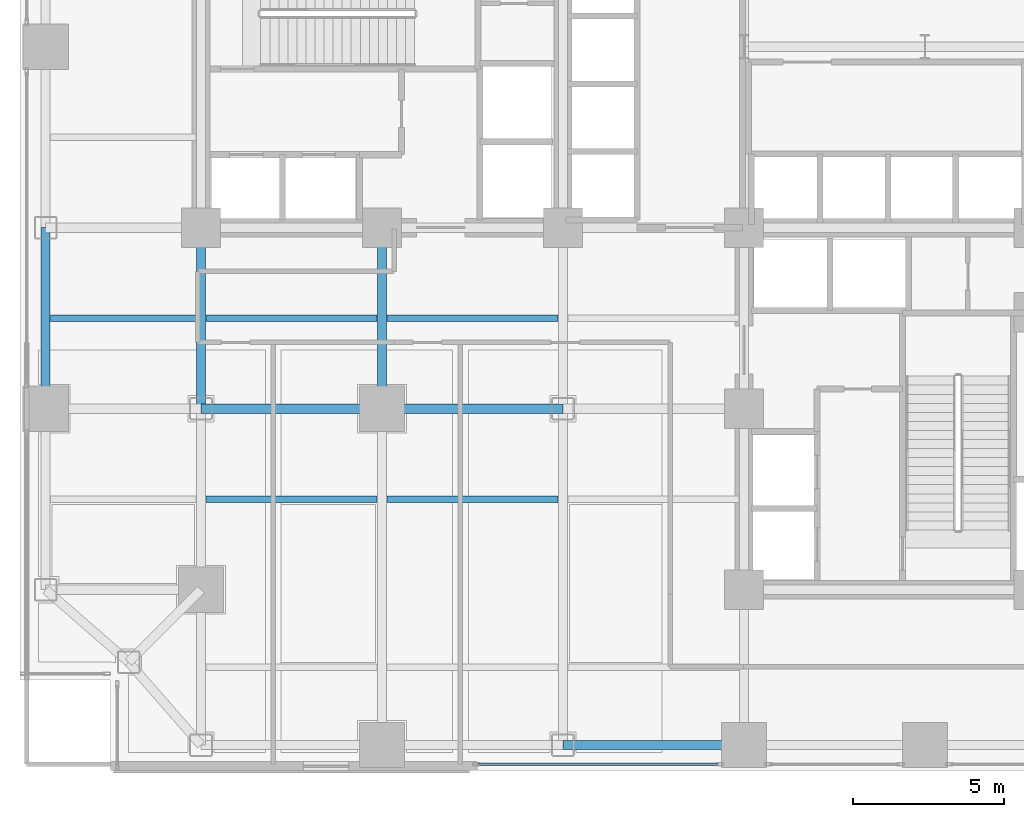
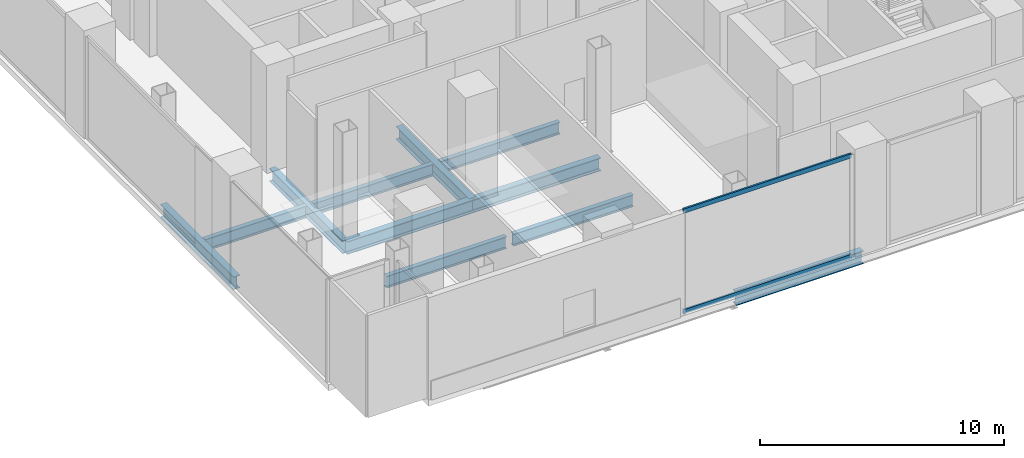
# One storey, part 4 of 27: 11 beams, 2 members, 1 element without a shape of its own.
"""IFC4 building model written with IfcOpenShell, lengths in metres."""

from ifc_helpers import new_model, si_unit, direction, frame, origin, origin_2d, place, context, subcontext, project, spatial, hollow_rectangle, i_section, extrude, material, layer, layer_set, material_profile, profile_set, type_object, element, aggregate, save


model = new_model("IFC4")

# Units and contexts
model_context = context("Model", 3, precision=1e-05, world=origin(), true_north=direction((0.0, 1.0)))
body_context = subcontext(model_context, "Body", "Model", "MODEL_VIEW")
ifc_project = project(units=[si_unit("LENGTHUNIT", "METRE"), si_unit("AREAUNIT", "SQUARE_METRE"), si_unit("VOLUMEUNIT", "CUBIC_METRE"), si_unit("PLANEANGLEUNIT", "RADIAN"), si_unit("MASSUNIT", "GRAM", prefix="KILO"), si_unit("THERMODYNAMICTEMPERATUREUNIT", "KELVIN"), si_unit("POWERUNIT", "WATT")], contexts=[model_context])

# Site, building, storey
site_placement = place(None, origin())
site = spatial("IfcSite", under=ifc_project, at=site_placement, CompositionType="ELEMENT")
building_placement = place(site_placement, origin())
building = spatial("IfcBuilding", under=site, at=building_placement, Name="Svarakhadi Broadcast Tower", CompositionType="ELEMENT")
storey_placement = place(building_placement, frame((0.0, 0.0, 16.5)))
storey = spatial("IfcBuildingStorey", under=building, at=storey_placement, Name="L03", CompositionType="ELEMENT", Elevation=16.5)

# Beams
ifc_material_1 = material(Name="Steel S355J2 (IS 2062 E350C)", Category="steel")
ifc_material_profile_1 = material_profile(ifc_material_1, i_section(OverallWidth=0.219970703125, OverallDepth=0.60009765625, WebThickness=0.011962890625, FlangeThickness=0.01904296875, FilletRadius=0.02392578125, at=origin_2d()), Name="NPB 600x220x122")
ifc_profile_set_1 = profile_set([ifc_material_profile_1], Name="Steel S355J2 (IS 2062 E350C)")
beam_type_1 = type_object("IfcBeamType", Name="Beam_NPB600", PredefinedType="BEAM", material=ifc_profile_set_1)
beam_placement = place(storey_placement, frame((1.010009765625, 15.0, -0.60009765625), z_axis=(1.0, 0.0, 0.0), x_axis=(0.0, 1.0, 0.0)))
element("IfcBeam", 1, at=beam_placement, inside=storey, type_object=beam_type_1, Name="L03 Secondary Composite Beam SB002", PredefinedType="BEAM", context=body_context, shape_type="SweptSolid", body=[
    extrude(i_section(OverallWidth=0.219970703125, OverallDepth=0.60009765625, WebThickness=0.011962890625, FlangeThickness=0.01904296875, FilletRadius=0.02392578125, at=origin_2d()), origin(), (0.0, 0.0, 1.0), 4.830078125),
])
for number, where, z_axis, x_axis, name in (
    (2, (6.159912109375, 9.0, -0.60009765625), (1.0, 0.0, 0.0), (0.0, 1.0, 0.0), "L03 Secondary Composite Beam SB008"),
    (3, (6.159912109375, 15.0, -0.60009765625), (1.0, 0.0, 0.0), (0.0, 1.0, 0.0), "L03 Secondary Composite Beam SB009"),
    (4, (12.159912109375, 9.0, -0.60009765625), (1.0, 0.0, 0.0), (0.0, 1.0, 0.0), "L03 Secondary Composite Beam SB011"),
    (5, (12.159912109375, 15.0, -0.60009765625), (1.0, 0.0, 0.0), (0.0, 1.0, 0.0), "L03 Secondary Composite Beam SB012"),
):
    element("IfcBeam", number, at=place(storey_placement, frame(where, z_axis=z_axis, x_axis=x_axis)), inside=storey, type_object=beam_type_1, Name=name, PredefinedType="BEAM", context=body_context, shape_type="SweptSolid", body=[
        extrude(i_section(OverallWidth=0.219970703125, OverallDepth=0.60009765625, WebThickness=0.011962890625, FlangeThickness=0.01904296875, FilletRadius=0.02392578125, at=origin_2d()), origin(), (0.0, 0.0, 1.0), 5.68017578125),
    ])

# Curtain wall, members
ifc_material_2 = material(Name="Anodised Bronze Aluminium AA 6063-T6", Category="aluminium")
ifc_layer = layer(ifc_material_2, 0.25)
ifc_layer_set = layer_set([ifc_layer], Name="Anodised Bronze Aluminium AA 6063-T6")
curtain_wall_type = type_object("IfcCurtainWallType", Name="CW_Sys_01", PredefinedType="NOTDEFINED", material=ifc_layer_set)
curtain_wall_placement = place(storey_placement, origin())
curtain_wall = element("IfcCurtainWall", 6, at=curtain_wall_placement, inside=storey, type_object=curtain_wall_type, Name="L03 South Curtain Wall 11 Bay 5", PredefinedType="NOTDEFINED")
ifc_material_profile_2 = material_profile(ifc_material_2, hollow_rectangle(XDim=0.0849609375, YDim=0.219970703125, WallThickness=0.0048828125, at=origin_2d()), Name="ALU TRANSOM 220x85x5")
ifc_profile_set_2 = profile_set([ifc_material_profile_2], Name="Anodised Bronze Aluminium AA 6063-T6")
member_type = type_object("IfcMemberType", Name="CW_Sys_01_Trn", PredefinedType="USERDEFINED", material=ifc_profile_set_2)
member_1_placement = place(storey_placement, frame((23.135009765625, 0.219970703125, 0.04248046875), z_axis=(-1.0, 0.0, 0.0), x_axis=(0.0, -1.0, 0.0)))
member_1 = element("IfcMember", 7, at=member_1_placement, type_object=member_type, Name="CW-01 transom 1.1", ObjectType="TRANSOM", PredefinedType="USERDEFINED", context=body_context, shape_type="SweptSolid", body=[
    extrude(hollow_rectangle(XDim=0.0849609375, YDim=0.219970703125, WallThickness=0.0048828125, at=origin_2d()), origin(), (0.0, 0.0, 1.0), 7.949951171875),
])
member_2_placement = place(storey_placement, frame((23.135009765625, 0.219970703125, 5.08251953125), z_axis=(-1.0, 0.0, 0.0), x_axis=(0.0, -1.0, 0.0)))
member_2 = element("IfcMember", 8, at=member_2_placement, type_object=member_type, Name="CW-01 transom 1.2", ObjectType="TRANSOM", PredefinedType="USERDEFINED", context=body_context, shape_type="SweptSolid", body=[
    extrude(hollow_rectangle(XDim=0.0849609375, YDim=0.219970703125, WallThickness=0.0048828125, at=origin_2d()), origin(), (0.0, 0.0, 1.0), 7.949951171875),
])
aggregate(curtain_wall, [member_1, member_2])

# Beams
ifc_material_profile_3 = material_profile(ifc_material_1, i_section(OverallWidth=0.300048828125, OverallDepth=0.64990234375, WebThickness=0.01611328125, FlangeThickness=0.031005859375, FilletRadius=0.027099609375, at=origin_2d()), Name="WPB 650x300x225")
ifc_profile_set_3 = profile_set([ifc_material_profile_3], Name="Steel S355J2 (IS 2062 E350C)")
beam_type_2 = type_object("IfcBeamType", Name="Girder_WPB650", PredefinedType="USERDEFINED", material=ifc_profile_set_3)
for number, where, z_axis, x_axis, name in (
    (9, (18.0, 0.85009765625, -0.625), (1.0, 0.0, 0.0), (0.0, 1.0, 0.0), "L03 Primary E-W Girder G006"),
    (10, (6.0, 12.0, -0.625), (1.0, 0.0, 0.0), (0.0, 1.0, 0.0), "L03 Primary E-W Girder G015"),
    (11, (12.0, 12.0, -0.625), (1.0, 0.0, 0.0), (0.0, 1.0, 0.0), "L03 Primary E-W Girder G016"),
    (12, (0.85009765625, 12.0, -0.625), (0.0, 1.0, 0.0), (-1.0, 0.0, 0.0), "L03 Primary N-S Girder G045"),
    (13, (6.0, 12.0, -0.625), (0.0, 1.0, 0.0), (-1.0, 0.0, 0.0), "L03 Primary N-S Girder G052"),
    (14, (12.0, 12.0, -0.625), (0.0, 1.0, 0.0), (-1.0, 0.0, 0.0), "L03 Primary N-S Girder G058"),
):
    element("IfcBeam", number, at=place(storey_placement, frame(where, z_axis=z_axis, x_axis=x_axis)), inside=storey, type_object=beam_type_2, Name=name, ObjectType="GIRDER", PredefinedType="USERDEFINED", context=body_context, shape_type="SweptSolid", body=[
        extrude(i_section(OverallWidth=0.300048828125, OverallDepth=0.64990234375, WebThickness=0.01611328125, FlangeThickness=0.031005859375, FilletRadius=0.027099609375, at=origin_2d()), origin(), (0.0, 0.0, 1.0), 6.0),
    ])

save(model, "model.ifc")
